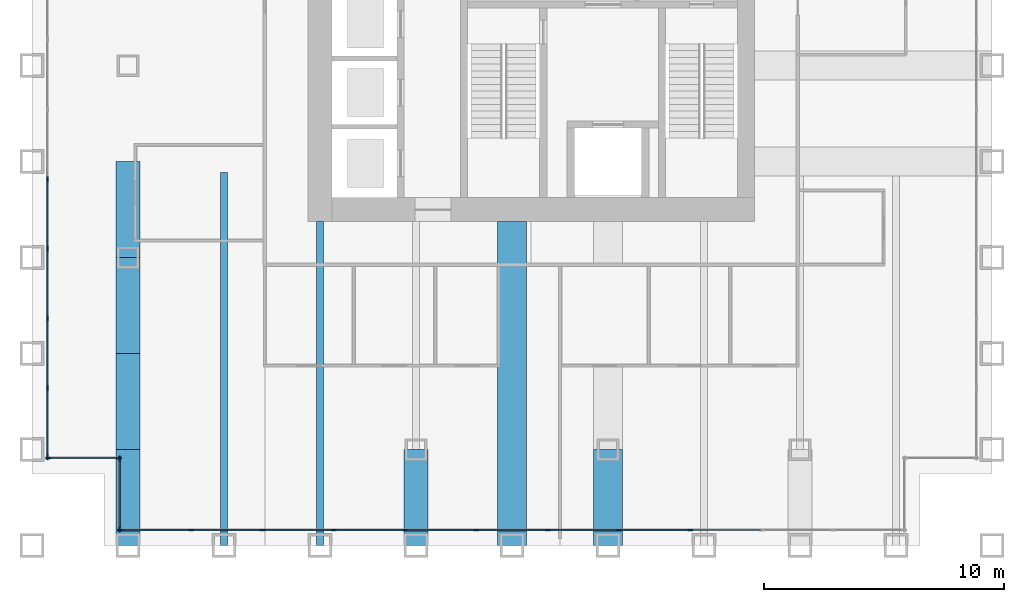
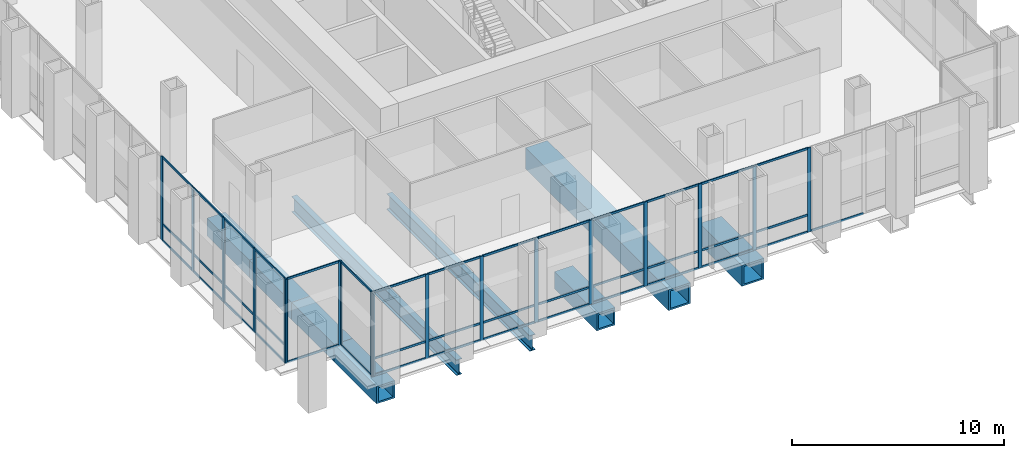
# One storey, part 2 of 13: 59 members, 9 beams, 4 elements without a shape of their own.
"""IFC4 building model written with IfcOpenShell, lengths in metres."""

from ifc_helpers import new_model, si_unit, direction, frame, origin, origin_2d, place, context, subcontext, project, spatial, rectangle, hollow_rectangle, i_section, extrude, material, material_profile, profile_set, type_object, element, aggregate, save


model = new_model("IFC4")

# Units and contexts
model_context = context("Model", 3, precision=1e-05, world=origin(), true_north=direction((0.0, 1.0)))
body_context = subcontext(model_context, "Body", "Model", "MODEL_VIEW")
ifc_project = project(units=[si_unit("LENGTHUNIT", "METRE"), si_unit("AREAUNIT", "SQUARE_METRE"), si_unit("VOLUMEUNIT", "CUBIC_METRE"), si_unit("PLANEANGLEUNIT", "RADIAN"), si_unit("MASSUNIT", "GRAM", prefix="KILO")], contexts=[model_context])

# Site, building, storey
site_placement = place(None, origin())
site = spatial("IfcSite", under=ifc_project, at=site_placement, CompositionType="ELEMENT")
building_placement = place(site_placement, origin())
building = spatial("IfcBuilding", under=site, at=building_placement, Name="Rimbunsela Tower", CompositionType="ELEMENT")
storey_placement = place(building_placement, frame((0.0, 0.0, 142.800048828125)))
storey = spatial("IfcBuildingStorey", under=building, at=storey_placement, Name="L34", CompositionType="ELEMENT", Elevation=142.800048828125)

# Beams
ifc_material_1 = material(Name="Steel BJ 55 (fy 410 MPa)", Category="steel")
ifc_material_profile_1 = material_profile(ifc_material_1, hollow_rectangle(XDim=1.0, YDim=1.0, WallThickness=0.10009765625, at=origin_2d()), Name="BOX 1000x1000x100")
ifc_profile_set_1 = profile_set([ifc_material_profile_1], Name="Steel BJ 55 (fy 410 MPa)")
beam_type_1 = type_object("IfcBeamType", Name="Beam BOX 1000x1000x100", PredefinedType="BEAM", material=ifc_profile_set_1)
for number, where, z_axis, x_axis, name in (
    (1, (10.0, 4.0, -0.650146484375), (0.0, 1.0, 0.0), (-1.0, 0.0, 0.0), "Beam B3 L34"),
    (2, (10.0, 8.0, -0.650146484375), (0.0, 1.0, 0.0), (-1.0, 0.0, 0.0), "Beam B3 L34"),
    (3, (10.0, 12.0, -0.650146484375), (0.0, 1.0, 0.0), (-1.0, 0.0, 0.0), "Beam B3 L34"),
    (4, (10.0, 16.0, -0.650146484375), (0.0, 1.0, 0.0), (-1.0, 0.0, 0.0), "Beam B3 L34"),
    (5, (22.0, 4.0, -0.650146484375), (0.0, 1.0, 0.0), (-1.0, 0.0, 0.0), "Beam B3 L34"),
):
    element("IfcBeam", number, at=place(storey_placement, frame(where, z_axis=z_axis, x_axis=x_axis)), inside=storey, type_object=beam_type_1, Name=name, PredefinedType="BEAM", context=body_context, shape_type="SweptSolid", body=[
        extrude(hollow_rectangle(XDim=1.0, YDim=1.0, WallThickness=0.10009765625, at=origin_2d()), origin(), (0.0, 0.0, 1.0), 4.0),
    ])
ifc_material_2 = material(Name="Steel BJ 55 (fy 410 MPa)", Category="steel")
ifc_material_profile_2 = material_profile(ifc_material_2, hollow_rectangle(XDim=1.199951171875, YDim=1.199951171875, WallThickness=0.10009765625, at=origin_2d()), Name="BOX 1200x1200x100")
ifc_profile_set_2 = profile_set([ifc_material_profile_2], Name="Steel BJ 55 (fy 410 MPa)")
beam_type_2 = type_object("IfcBeamType", Name="Beam BOX 1200x1200x100", PredefinedType="BEAM", material=ifc_profile_set_2)
beam_1_placement = place(storey_placement, frame((26.0, 4.0, -0.75), z_axis=(0.0, 1.0, 0.0), x_axis=(-1.0, 0.0, 0.0)))
element("IfcBeam", 6, at=beam_1_placement, inside=storey, type_object=beam_type_2, Name="Beam B5 L34", PredefinedType="BEAM", context=body_context, shape_type="SweptSolid", body=[
    extrude(hollow_rectangle(XDim=1.199951171875, YDim=1.199951171875, WallThickness=0.10009765625, at=origin_2d()), origin(), (0.0, 0.0, 1.0), 13.5),
])
beam_2_placement = place(storey_placement, frame((30.0, 4.0, -0.75), z_axis=(0.0, 1.0, 0.0), x_axis=(-1.0, 0.0, 0.0)))
element("IfcBeam", 7, at=beam_2_placement, inside=storey, type_object=beam_type_2, Name="Beam B5 L34", PredefinedType="BEAM", context=body_context, shape_type="SweptSolid", body=[
    extrude(hollow_rectangle(XDim=1.199951171875, YDim=1.199951171875, WallThickness=0.10009765625, at=origin_2d()), origin(), (0.0, 0.0, 1.0), 4.0),
])
ifc_material_3 = material(Name="Steel BJ 55 (fy 410 MPa)", Category="steel")
ifc_material_profile_3 = material_profile(ifc_material_3, i_section(OverallWidth=0.300048828125, OverallDepth=0.89990234375, WebThickness=0.01611328125, FlangeThickness=0.028076171875, FilletRadius=0.028076171875, at=origin_2d()), Name="H 900x300x16x28")
ifc_profile_set_3 = profile_set([ifc_material_profile_3], Name="Steel BJ 55 (fy 410 MPa)")
beam_type_3 = type_object("IfcBeamType", Name="Beam H 900x300x16x28", PredefinedType="BEAM", material=ifc_profile_set_3)
beam_3_placement = place(storey_placement, frame((14.0, 4.0, -0.60009765625), z_axis=(0.0, 1.0, 0.0), x_axis=(-1.0, 0.0, 0.0)))
element("IfcBeam", 8, at=beam_3_placement, inside=storey, type_object=beam_type_3, Name="Beam B2 L34", PredefinedType="BEAM", context=body_context, shape_type="SweptSolid", body=[
    extrude(i_section(OverallWidth=0.300048828125, OverallDepth=0.89990234375, WebThickness=0.01611328125, FlangeThickness=0.028076171875, FilletRadius=0.028076171875, at=origin_2d()), origin(), (0.0, 0.0, 1.0), 15.550048828125),
])
beam_4_placement = place(storey_placement, frame((18.0, 4.0, -0.60009765625), z_axis=(0.0, 1.0, 0.0), x_axis=(-1.0, 0.0, 0.0)))
element("IfcBeam", 9, at=beam_4_placement, inside=storey, type_object=beam_type_3, Name="Beam B2 L34", PredefinedType="BEAM", context=body_context, shape_type="SweptSolid", body=[
    extrude(i_section(OverallWidth=0.300048828125, OverallDepth=0.89990234375, WebThickness=0.01611328125, FlangeThickness=0.028076171875, FilletRadius=0.028076171875, at=origin_2d()), origin(), (0.0, 0.0, 1.0), 13.5),
])

# Curtain wall, members
ifc_material_4 = material(Name="Aluminium curtain wall", Category="aluminium")
curtain_wall_type_1 = type_object("IfcCurtainWallType", Name="Sky lobby glazing", PredefinedType="USERDEFINED", material=ifc_material_4)
curtain_wall_1_placement = place(storey_placement, origin())
curtain_wall_1 = element("IfcCurtainWall", 10, at=curtain_wall_1_placement, inside=storey, type_object=curtain_wall_type_1, Name="Sky lobby glazing L34", ObjectType="SKY LOBBY GLAZING", PredefinedType="USERDEFINED")
ifc_material_5 = material(Name="Aluminium mullion", Category="aluminium")
ifc_material_profile_4 = material_profile(ifc_material_5, rectangle(XDim=0.06005859375, YDim=0.199951171875, at=origin_2d()), Name="Mullion 60x200")
ifc_profile_set_4 = profile_set([ifc_material_profile_4], Name="Aluminium mullion")
member_type_1 = type_object("IfcMemberType", Name="Curtain wall mullion 60x200", PredefinedType="MULLION", material=ifc_profile_set_4)
member_1_placement = place(storey_placement, frame((6.64990234375, 19.278564453125, 0.0), z_axis=(0.0, 0.0, 1.0), x_axis=(1.0, 0.0, 0.0)))
member_1 = element("IfcMember", 11, at=member_1_placement, type_object=member_type_1, Name="CW4 mullion 11", PredefinedType="MULLION", context=body_context, shape_type="SweptSolid", body=[
    extrude(rectangle(XDim=0.06005859375, YDim=0.199951171875, at=origin_2d()), origin(), (0.0, 0.0, 1.0), 4.849853515625),
])
member_2_placement = place(storey_placement, frame((6.64990234375, 16.371337890625, 0.0), z_axis=(0.0, 0.0, 1.0), x_axis=(1.0, 0.0, 0.0)))
member_2 = element("IfcMember", 12, at=member_2_placement, type_object=member_type_1, Name="CW4 mullion 12", PredefinedType="MULLION", context=body_context, shape_type="SweptSolid", body=[
    extrude(rectangle(XDim=0.06005859375, YDim=0.199951171875, at=origin_2d()), origin(), (0.0, 0.0, 1.0), 4.849853515625),
])
member_3_placement = place(storey_placement, frame((6.64990234375, 13.46435546875, 0.0), z_axis=(0.0, 0.0, 1.0), x_axis=(1.0, 0.0, 0.0)))
member_3 = element("IfcMember", 13, at=member_3_placement, type_object=member_type_1, Name="CW4 mullion 13", PredefinedType="MULLION", context=body_context, shape_type="SweptSolid", body=[
    extrude(rectangle(XDim=0.06005859375, YDim=0.199951171875, at=origin_2d()), origin(), (0.0, 0.0, 1.0), 4.849853515625),
])
member_4_placement = place(storey_placement, frame((6.64990234375, 10.55712890625, 0.0), z_axis=(0.0, 0.0, 1.0), x_axis=(1.0, 0.0, 0.0)))
member_4 = element("IfcMember", 14, at=member_4_placement, type_object=member_type_1, Name="CW4 mullion 14", PredefinedType="MULLION", context=body_context, shape_type="SweptSolid", body=[
    extrude(rectangle(XDim=0.06005859375, YDim=0.199951171875, at=origin_2d()), origin(), (0.0, 0.0, 1.0), 4.849853515625),
])
member_5_placement = place(storey_placement, frame((6.64990234375, 7.679931640625, 0.0), z_axis=(0.0, 0.0, 1.0), x_axis=(1.0, 0.0, 0.0)))
member_5 = element("IfcMember", 15, at=member_5_placement, type_object=member_type_1, Name="CW4 mullion 15", PredefinedType="MULLION", context=body_context, shape_type="SweptSolid", body=[
    extrude(rectangle(XDim=0.06005859375, YDim=0.199951171875, at=origin_2d()), origin(), (0.0, 0.0, 1.0), 4.849853515625),
])

ifc_material_6 = material(Name="Aluminium curtain wall", Category="aluminium")
curtain_wall_type_2 = type_object("IfcCurtainWallType", Name="Corner glazing", PredefinedType="USERDEFINED", material=ifc_material_6)
curtain_wall_2_placement = place(storey_placement, origin())
curtain_wall_2 = element("IfcCurtainWall", 16, at=curtain_wall_2_placement, inside=storey, type_object=curtain_wall_type_2, Name="Corner glazing L34", ObjectType="CORNER GLAZING", PredefinedType="USERDEFINED")
member_6_placement = place(storey_placement, frame((6.679931640625, 7.64990234375, 0.0), z_axis=(0.0, 0.0, 1.0), x_axis=(0.0, 1.0, 0.0)))
member_6 = element("IfcMember", 17, at=member_6_placement, type_object=member_type_1, Name="CW5 mullion 1", PredefinedType="MULLION", context=body_context, shape_type="SweptSolid", body=[
    extrude(rectangle(XDim=0.06005859375, YDim=0.199951171875, at=origin_2d()), origin(), (0.0, 0.0, 1.0), 4.849853515625),
])
member_7_placement = place(storey_placement, frame((9.6201171875, 7.64990234375, 0.0), z_axis=(0.0, 0.0, 1.0), x_axis=(0.0, 1.0, 0.0)))
member_7 = element("IfcMember", 18, at=member_7_placement, type_object=member_type_1, Name="CW5 mullion 2", PredefinedType="MULLION", context=body_context, shape_type="SweptSolid", body=[
    extrude(rectangle(XDim=0.06005859375, YDim=0.199951171875, at=origin_2d()), origin(), (0.0, 0.0, 1.0), 4.849853515625),
])

curtain_wall_3_placement = place(storey_placement, origin())
curtain_wall_3 = element("IfcCurtainWall", 19, at=curtain_wall_3_placement, inside=storey, type_object=curtain_wall_type_2, Name="Corner glazing L34", ObjectType="CORNER GLAZING", PredefinedType="USERDEFINED")
member_8_placement = place(storey_placement, frame((9.64990234375, 7.6201171875, 0.0), z_axis=(0.0, 0.0, 1.0), x_axis=(1.0, 0.0, 0.0)))
member_8 = element("IfcMember", 20, at=member_8_placement, type_object=member_type_1, Name="CW5 mullion 1", PredefinedType="MULLION", context=body_context, shape_type="SweptSolid", body=[
    extrude(rectangle(XDim=0.06005859375, YDim=0.199951171875, at=origin_2d()), origin(), (0.0, 0.0, 1.0), 4.849853515625),
])
member_9_placement = place(storey_placement, frame((9.64990234375, 4.679931640625, 0.0), z_axis=(0.0, 0.0, 1.0), x_axis=(1.0, 0.0, 0.0)))
member_9 = element("IfcMember", 21, at=member_9_placement, type_object=member_type_1, Name="CW5 mullion 2", PredefinedType="MULLION", context=body_context, shape_type="SweptSolid", body=[
    extrude(rectangle(XDim=0.06005859375, YDim=0.199951171875, at=origin_2d()), origin(), (0.0, 0.0, 1.0), 4.849853515625),
])

curtain_wall_4_placement = place(storey_placement, origin())
curtain_wall_4 = element("IfcCurtainWall", 22, at=curtain_wall_4_placement, inside=storey, type_object=curtain_wall_type_1, Name="Sky lobby glazing L34", ObjectType="SKY LOBBY GLAZING", PredefinedType="USERDEFINED")
member_10_placement = place(storey_placement, frame((9.679931640625, 4.64990234375, 0.0), z_axis=(0.0, 0.0, 1.0), x_axis=(0.0, 1.0, 0.0)))
member_10 = element("IfcMember", 23, at=member_10_placement, type_object=member_type_1, Name="CW4 mullion 1", PredefinedType="MULLION", context=body_context, shape_type="SweptSolid", body=[
    extrude(rectangle(XDim=0.06005859375, YDim=0.199951171875, at=origin_2d()), origin(), (0.0, 0.0, 1.0), 4.849853515625),
])
member_11_placement = place(storey_placement, frame((12.622802734375, 4.64990234375, 0.0), z_axis=(0.0, 0.0, 1.0), x_axis=(0.0, 1.0, 0.0)))
member_11 = element("IfcMember", 24, at=member_11_placement, type_object=member_type_1, Name="CW4 mullion 2", PredefinedType="MULLION", context=body_context, shape_type="SweptSolid", body=[
    extrude(rectangle(XDim=0.06005859375, YDim=0.199951171875, at=origin_2d()), origin(), (0.0, 0.0, 1.0), 4.849853515625),
])
member_12_placement = place(storey_placement, frame((15.595458984375, 4.64990234375, 0.0), z_axis=(0.0, 0.0, 1.0), x_axis=(0.0, 1.0, 0.0)))
member_12 = element("IfcMember", 25, at=member_12_placement, type_object=member_type_1, Name="CW4 mullion 3", PredefinedType="MULLION", context=body_context, shape_type="SweptSolid", body=[
    extrude(rectangle(XDim=0.06005859375, YDim=0.199951171875, at=origin_2d()), origin(), (0.0, 0.0, 1.0), 4.849853515625),
])
member_13_placement = place(storey_placement, frame((18.568115234375, 4.64990234375, 0.0), z_axis=(0.0, 0.0, 1.0), x_axis=(0.0, 1.0, 0.0)))
member_13 = element("IfcMember", 26, at=member_13_placement, type_object=member_type_1, Name="CW4 mullion 4", PredefinedType="MULLION", context=body_context, shape_type="SweptSolid", body=[
    extrude(rectangle(XDim=0.06005859375, YDim=0.199951171875, at=origin_2d()), origin(), (0.0, 0.0, 1.0), 4.849853515625),
])
member_14_placement = place(storey_placement, frame((21.541015625, 4.64990234375, 0.0), z_axis=(0.0, 0.0, 1.0), x_axis=(0.0, 1.0, 0.0)))
member_14 = element("IfcMember", 27, at=member_14_placement, type_object=member_type_1, Name="CW4 mullion 5", PredefinedType="MULLION", context=body_context, shape_type="SweptSolid", body=[
    extrude(rectangle(XDim=0.06005859375, YDim=0.199951171875, at=origin_2d()), origin(), (0.0, 0.0, 1.0), 4.849853515625),
])
member_15_placement = place(storey_placement, frame((24.513671875, 4.64990234375, 0.0), z_axis=(0.0, 0.0, 1.0), x_axis=(0.0, 1.0, 0.0)))
member_15 = element("IfcMember", 28, at=member_15_placement, type_object=member_type_1, Name="CW4 mullion 6", PredefinedType="MULLION", context=body_context, shape_type="SweptSolid", body=[
    extrude(rectangle(XDim=0.06005859375, YDim=0.199951171875, at=origin_2d()), origin(), (0.0, 0.0, 1.0), 4.849853515625),
])
member_16_placement = place(storey_placement, frame((27.486328125, 4.64990234375, 0.0), z_axis=(0.0, 0.0, 1.0), x_axis=(0.0, 1.0, 0.0)))
member_16 = element("IfcMember", 29, at=member_16_placement, type_object=member_type_1, Name="CW4 mullion 7", PredefinedType="MULLION", context=body_context, shape_type="SweptSolid", body=[
    extrude(rectangle(XDim=0.06005859375, YDim=0.199951171875, at=origin_2d()), origin(), (0.0, 0.0, 1.0), 4.849853515625),
])
member_17_placement = place(storey_placement, frame((30.458984375, 4.64990234375, 0.0), z_axis=(0.0, 0.0, 1.0), x_axis=(0.0, 1.0, 0.0)))
member_17 = element("IfcMember", 30, at=member_17_placement, type_object=member_type_1, Name="CW4 mullion 8", PredefinedType="MULLION", context=body_context, shape_type="SweptSolid", body=[
    extrude(rectangle(XDim=0.06005859375, YDim=0.199951171875, at=origin_2d()), origin(), (0.0, 0.0, 1.0), 4.849853515625),
])
member_18_placement = place(storey_placement, frame((33.431884765625, 4.64990234375, 0.0), z_axis=(0.0, 0.0, 1.0), x_axis=(0.0, 1.0, 0.0)))
member_18 = element("IfcMember", 31, at=member_18_placement, type_object=member_type_1, Name="CW4 mullion 9", PredefinedType="MULLION", context=body_context, shape_type="SweptSolid", body=[
    extrude(rectangle(XDim=0.06005859375, YDim=0.199951171875, at=origin_2d()), origin(), (0.0, 0.0, 1.0), 4.849853515625),
])

# Member
ifc_material_7 = material(Name="Aluminium transom", Category="aluminium")
ifc_material_profile_5 = material_profile(ifc_material_7, rectangle(XDim=0.06005859375, YDim=0.1201171875, at=origin_2d()), Name="Transom 60x120")
ifc_profile_set_5 = profile_set([ifc_material_profile_5], Name="Aluminium transom")
member_type_2 = type_object("IfcMemberType", Name="Curtain wall transom 60x120", PredefinedType="USERDEFINED", material=ifc_profile_set_5)
member_19_placement = place(storey_placement, frame((6.64990234375, 19.24853515625, 0.030029296875), z_axis=(0.0, -1.0, 0.0), x_axis=(1.0, 0.0, 0.0)))
member_19 = element("IfcMember", 32, at=member_19_placement, type_object=member_type_2, Name="CW4 transom 11.1", ObjectType="TRANSOM", PredefinedType="USERDEFINED", context=body_context, shape_type="SweptSolid", body=[
    extrude(rectangle(XDim=0.06005859375, YDim=0.1201171875, at=origin_2d()), origin(), (0.0, 0.0, 1.0), 2.84716796875),
])

member_20_placement = place(storey_placement, frame((6.64990234375, 19.24853515625, 1.0), z_axis=(0.0, -1.0, 0.0), x_axis=(1.0, 0.0, 0.0)))
member_20 = element("IfcMember", 33, at=member_20_placement, type_object=member_type_2, Name="CW4 transom 11.2", ObjectType="TRANSOM", PredefinedType="USERDEFINED", context=body_context, shape_type="SweptSolid", body=[
    extrude(rectangle(XDim=0.06005859375, YDim=0.1201171875, at=origin_2d()), origin(), (0.0, 0.0, 1.0), 2.84716796875),
])

member_21_placement = place(storey_placement, frame((6.64990234375, 19.24853515625, 4.820068359375), z_axis=(0.0, -1.0, 0.0), x_axis=(1.0, 0.0, 0.0)))
member_21 = element("IfcMember", 34, at=member_21_placement, type_object=member_type_2, Name="CW4 transom 11.3", ObjectType="TRANSOM", PredefinedType="USERDEFINED", context=body_context, shape_type="SweptSolid", body=[
    extrude(rectangle(XDim=0.06005859375, YDim=0.1201171875, at=origin_2d()), origin(), (0.0, 0.0, 1.0), 2.84716796875),
])

member_22_placement = place(storey_placement, frame((6.64990234375, 16.34130859375, 0.030029296875), z_axis=(0.0, -1.0, 0.0), x_axis=(1.0, 0.0, 0.0)))
member_22 = element("IfcMember", 35, at=member_22_placement, type_object=member_type_2, Name="CW4 transom 12.1", ObjectType="TRANSOM", PredefinedType="USERDEFINED", context=body_context, shape_type="SweptSolid", body=[
    extrude(rectangle(XDim=0.06005859375, YDim=0.1201171875, at=origin_2d()), origin(), (0.0, 0.0, 1.0), 2.846923828125),
])

member_23_placement = place(storey_placement, frame((6.64990234375, 16.34130859375, 1.0), z_axis=(0.0, -1.0, 0.0), x_axis=(1.0, 0.0, 0.0)))
member_23 = element("IfcMember", 36, at=member_23_placement, type_object=member_type_2, Name="CW4 transom 12.2", ObjectType="TRANSOM", PredefinedType="USERDEFINED", context=body_context, shape_type="SweptSolid", body=[
    extrude(rectangle(XDim=0.06005859375, YDim=0.1201171875, at=origin_2d()), origin(), (0.0, 0.0, 1.0), 2.846923828125),
])

member_24_placement = place(storey_placement, frame((6.64990234375, 16.34130859375, 4.820068359375), z_axis=(0.0, -1.0, 0.0), x_axis=(1.0, 0.0, 0.0)))
member_24 = element("IfcMember", 37, at=member_24_placement, type_object=member_type_2, Name="CW4 transom 12.3", ObjectType="TRANSOM", PredefinedType="USERDEFINED", context=body_context, shape_type="SweptSolid", body=[
    extrude(rectangle(XDim=0.06005859375, YDim=0.1201171875, at=origin_2d()), origin(), (0.0, 0.0, 1.0), 2.846923828125),
])

member_25_placement = place(storey_placement, frame((6.64990234375, 13.434326171875, 0.030029296875), z_axis=(0.0, -1.0, 0.0), x_axis=(1.0, 0.0, 0.0)))
member_25 = element("IfcMember", 38, at=member_25_placement, type_object=member_type_2, Name="CW4 transom 13.1", ObjectType="TRANSOM", PredefinedType="USERDEFINED", context=body_context, shape_type="SweptSolid", body=[
    extrude(rectangle(XDim=0.06005859375, YDim=0.1201171875, at=origin_2d()), origin(), (0.0, 0.0, 1.0), 2.84716796875),
])

member_26_placement = place(storey_placement, frame((6.64990234375, 13.434326171875, 1.0), z_axis=(0.0, -1.0, 0.0), x_axis=(1.0, 0.0, 0.0)))
member_26 = element("IfcMember", 39, at=member_26_placement, type_object=member_type_2, Name="CW4 transom 13.2", ObjectType="TRANSOM", PredefinedType="USERDEFINED", context=body_context, shape_type="SweptSolid", body=[
    extrude(rectangle(XDim=0.06005859375, YDim=0.1201171875, at=origin_2d()), origin(), (0.0, 0.0, 1.0), 2.84716796875),
])

member_27_placement = place(storey_placement, frame((6.64990234375, 13.434326171875, 4.820068359375), z_axis=(0.0, -1.0, 0.0), x_axis=(1.0, 0.0, 0.0)))
member_27 = element("IfcMember", 40, at=member_27_placement, type_object=member_type_2, Name="CW4 transom 13.3", ObjectType="TRANSOM", PredefinedType="USERDEFINED", context=body_context, shape_type="SweptSolid", body=[
    extrude(rectangle(XDim=0.06005859375, YDim=0.1201171875, at=origin_2d()), origin(), (0.0, 0.0, 1.0), 2.84716796875),
])

member_28_placement = place(storey_placement, frame((6.64990234375, 10.527099609375, 0.030029296875), z_axis=(0.0, -1.0, 0.0), x_axis=(1.0, 0.0, 0.0)))
member_28 = element("IfcMember", 41, at=member_28_placement, type_object=member_type_2, Name="CW4 transom 14.1", ObjectType="TRANSOM", PredefinedType="USERDEFINED", context=body_context, shape_type="SweptSolid", body=[
    extrude(rectangle(XDim=0.06005859375, YDim=0.1201171875, at=origin_2d()), origin(), (0.0, 0.0, 1.0), 2.817138671875),
])

member_29_placement = place(storey_placement, frame((6.64990234375, 10.527099609375, 1.0), z_axis=(0.0, -1.0, 0.0), x_axis=(1.0, 0.0, 0.0)))
member_29 = element("IfcMember", 42, at=member_29_placement, type_object=member_type_2, Name="CW4 transom 14.2", ObjectType="TRANSOM", PredefinedType="USERDEFINED", context=body_context, shape_type="SweptSolid", body=[
    extrude(rectangle(XDim=0.06005859375, YDim=0.1201171875, at=origin_2d()), origin(), (0.0, 0.0, 1.0), 2.817138671875),
])

member_30_placement = place(storey_placement, frame((6.64990234375, 10.527099609375, 4.820068359375), z_axis=(0.0, -1.0, 0.0), x_axis=(1.0, 0.0, 0.0)))
member_30 = element("IfcMember", 43, at=member_30_placement, type_object=member_type_2, Name="CW4 transom 14.3", ObjectType="TRANSOM", PredefinedType="USERDEFINED", context=body_context, shape_type="SweptSolid", body=[
    extrude(rectangle(XDim=0.06005859375, YDim=0.1201171875, at=origin_2d()), origin(), (0.0, 0.0, 1.0), 2.817138671875),
])

aggregate(curtain_wall_1, [member_1, member_2, member_3, member_4, member_5, member_19, member_20, member_21, member_22, member_23, member_24, member_25, member_26, member_27, member_28, member_29, member_30])

member_31_placement = place(storey_placement, frame((6.7099609375, 7.64990234375, 0.030029296875), z_axis=(1.0, 0.0, 0.0), x_axis=(0.0, 1.0, 0.0)))
member_31 = element("IfcMember", 44, at=member_31_placement, type_object=member_type_2, Name="CW5 transom 1.1", ObjectType="TRANSOM", PredefinedType="USERDEFINED", context=body_context, shape_type="SweptSolid", body=[
    extrude(rectangle(XDim=0.06005859375, YDim=0.1201171875, at=origin_2d()), origin(), (0.0, 0.0, 1.0), 2.880126953125),
])

member_32_placement = place(storey_placement, frame((6.7099609375, 7.64990234375, 4.820068359375), z_axis=(1.0, 0.0, 0.0), x_axis=(0.0, 1.0, 0.0)))
member_32 = element("IfcMember", 45, at=member_32_placement, type_object=member_type_2, Name="CW5 transom 1.2", ObjectType="TRANSOM", PredefinedType="USERDEFINED", context=body_context, shape_type="SweptSolid", body=[
    extrude(rectangle(XDim=0.06005859375, YDim=0.1201171875, at=origin_2d()), origin(), (0.0, 0.0, 1.0), 2.880126953125),
])

aggregate(curtain_wall_2, [member_6, member_7, member_31, member_32])

member_33_placement = place(storey_placement, frame((9.64990234375, 7.590087890625, 0.030029296875), z_axis=(0.0, -1.0, 0.0), x_axis=(1.0, 0.0, 0.0)))
member_33 = element("IfcMember", 46, at=member_33_placement, type_object=member_type_2, Name="CW5 transom 1.1", ObjectType="TRANSOM", PredefinedType="USERDEFINED", context=body_context, shape_type="SweptSolid", body=[
    extrude(rectangle(XDim=0.06005859375, YDim=0.1201171875, at=origin_2d()), origin(), (0.0, 0.0, 1.0), 2.880126953125),
])

member_34_placement = place(storey_placement, frame((9.64990234375, 7.590087890625, 4.820068359375), z_axis=(0.0, -1.0, 0.0), x_axis=(1.0, 0.0, 0.0)))
member_34 = element("IfcMember", 47, at=member_34_placement, type_object=member_type_2, Name="CW5 transom 1.2", ObjectType="TRANSOM", PredefinedType="USERDEFINED", context=body_context, shape_type="SweptSolid", body=[
    extrude(rectangle(XDim=0.06005859375, YDim=0.1201171875, at=origin_2d()), origin(), (0.0, 0.0, 1.0), 2.880126953125),
])

aggregate(curtain_wall_3, [member_8, member_9, member_33, member_34])

member_35_placement = place(storey_placement, frame((9.7099609375, 4.64990234375, 0.030029296875), z_axis=(1.0, 0.0, 0.0), x_axis=(0.0, 1.0, 0.0)))
member_35 = element("IfcMember", 48, at=member_35_placement, type_object=member_type_2, Name="CW4 transom 1.1", ObjectType="TRANSOM", PredefinedType="USERDEFINED", context=body_context, shape_type="SweptSolid", body=[
    extrude(rectangle(XDim=0.06005859375, YDim=0.1201171875, at=origin_2d()), origin(), (0.0, 0.0, 1.0), 2.8828125),
])

member_36_placement = place(storey_placement, frame((9.7099609375, 4.64990234375, 1.0), z_axis=(1.0, 0.0, 0.0), x_axis=(0.0, 1.0, 0.0)))
member_36 = element("IfcMember", 49, at=member_36_placement, type_object=member_type_2, Name="CW4 transom 1.2", ObjectType="TRANSOM", PredefinedType="USERDEFINED", context=body_context, shape_type="SweptSolid", body=[
    extrude(rectangle(XDim=0.06005859375, YDim=0.1201171875, at=origin_2d()), origin(), (0.0, 0.0, 1.0), 2.8828125),
])

member_37_placement = place(storey_placement, frame((9.7099609375, 4.64990234375, 4.820068359375), z_axis=(1.0, 0.0, 0.0), x_axis=(0.0, 1.0, 0.0)))
member_37 = element("IfcMember", 50, at=member_37_placement, type_object=member_type_2, Name="CW4 transom 1.3", ObjectType="TRANSOM", PredefinedType="USERDEFINED", context=body_context, shape_type="SweptSolid", body=[
    extrude(rectangle(XDim=0.06005859375, YDim=0.1201171875, at=origin_2d()), origin(), (0.0, 0.0, 1.0), 2.8828125),
])

member_38_placement = place(storey_placement, frame((12.65283203125, 4.64990234375, 0.030029296875), z_axis=(1.0, 0.0, 0.0), x_axis=(0.0, 1.0, 0.0)))
member_38 = element("IfcMember", 51, at=member_38_placement, type_object=member_type_2, Name="CW4 transom 2.1", ObjectType="TRANSOM", PredefinedType="USERDEFINED", context=body_context, shape_type="SweptSolid", body=[
    extrude(rectangle(XDim=0.06005859375, YDim=0.1201171875, at=origin_2d()), origin(), (0.0, 0.0, 1.0), 2.91259765625),
])

member_39_placement = place(storey_placement, frame((12.65283203125, 4.64990234375, 1.0), z_axis=(1.0, 0.0, 0.0), x_axis=(0.0, 1.0, 0.0)))
member_39 = element("IfcMember", 52, at=member_39_placement, type_object=member_type_2, Name="CW4 transom 2.2", ObjectType="TRANSOM", PredefinedType="USERDEFINED", context=body_context, shape_type="SweptSolid", body=[
    extrude(rectangle(XDim=0.06005859375, YDim=0.1201171875, at=origin_2d()), origin(), (0.0, 0.0, 1.0), 2.91259765625),
])

member_40_placement = place(storey_placement, frame((12.65283203125, 4.64990234375, 4.820068359375), z_axis=(1.0, 0.0, 0.0), x_axis=(0.0, 1.0, 0.0)))
member_40 = element("IfcMember", 53, at=member_40_placement, type_object=member_type_2, Name="CW4 transom 2.3", ObjectType="TRANSOM", PredefinedType="USERDEFINED", context=body_context, shape_type="SweptSolid", body=[
    extrude(rectangle(XDim=0.06005859375, YDim=0.1201171875, at=origin_2d()), origin(), (0.0, 0.0, 1.0), 2.91259765625),
])

member_41_placement = place(storey_placement, frame((15.62548828125, 4.64990234375, 0.030029296875), z_axis=(1.0, 0.0, 0.0), x_axis=(0.0, 1.0, 0.0)))
member_41 = element("IfcMember", 54, at=member_41_placement, type_object=member_type_2, Name="CW4 transom 3.1", ObjectType="TRANSOM", PredefinedType="USERDEFINED", context=body_context, shape_type="SweptSolid", body=[
    extrude(rectangle(XDim=0.06005859375, YDim=0.1201171875, at=origin_2d()), origin(), (0.0, 0.0, 1.0), 2.91259765625),
])

member_42_placement = place(storey_placement, frame((15.62548828125, 4.64990234375, 1.0), z_axis=(1.0, 0.0, 0.0), x_axis=(0.0, 1.0, 0.0)))
member_42 = element("IfcMember", 55, at=member_42_placement, type_object=member_type_2, Name="CW4 transom 3.2", ObjectType="TRANSOM", PredefinedType="USERDEFINED", context=body_context, shape_type="SweptSolid", body=[
    extrude(rectangle(XDim=0.06005859375, YDim=0.1201171875, at=origin_2d()), origin(), (0.0, 0.0, 1.0), 2.91259765625),
])

member_43_placement = place(storey_placement, frame((15.62548828125, 4.64990234375, 4.820068359375), z_axis=(1.0, 0.0, 0.0), x_axis=(0.0, 1.0, 0.0)))
member_43 = element("IfcMember", 56, at=member_43_placement, type_object=member_type_2, Name="CW4 transom 3.3", ObjectType="TRANSOM", PredefinedType="USERDEFINED", context=body_context, shape_type="SweptSolid", body=[
    extrude(rectangle(XDim=0.06005859375, YDim=0.1201171875, at=origin_2d()), origin(), (0.0, 0.0, 1.0), 2.91259765625),
])

member_44_placement = place(storey_placement, frame((18.59814453125, 4.64990234375, 0.030029296875), z_axis=(1.0, 0.0, 0.0), x_axis=(0.0, 1.0, 0.0)))
member_44 = element("IfcMember", 57, at=member_44_placement, type_object=member_type_2, Name="CW4 transom 4.1", ObjectType="TRANSOM", PredefinedType="USERDEFINED", context=body_context, shape_type="SweptSolid", body=[
    extrude(rectangle(XDim=0.06005859375, YDim=0.1201171875, at=origin_2d()), origin(), (0.0, 0.0, 1.0), 2.912841796875),
])

member_45_placement = place(storey_placement, frame((18.59814453125, 4.64990234375, 1.0), z_axis=(1.0, 0.0, 0.0), x_axis=(0.0, 1.0, 0.0)))
member_45 = element("IfcMember", 58, at=member_45_placement, type_object=member_type_2, Name="CW4 transom 4.2", ObjectType="TRANSOM", PredefinedType="USERDEFINED", context=body_context, shape_type="SweptSolid", body=[
    extrude(rectangle(XDim=0.06005859375, YDim=0.1201171875, at=origin_2d()), origin(), (0.0, 0.0, 1.0), 2.912841796875),
])

member_46_placement = place(storey_placement, frame((18.59814453125, 4.64990234375, 4.820068359375), z_axis=(1.0, 0.0, 0.0), x_axis=(0.0, 1.0, 0.0)))
member_46 = element("IfcMember", 59, at=member_46_placement, type_object=member_type_2, Name="CW4 transom 4.3", ObjectType="TRANSOM", PredefinedType="USERDEFINED", context=body_context, shape_type="SweptSolid", body=[
    extrude(rectangle(XDim=0.06005859375, YDim=0.1201171875, at=origin_2d()), origin(), (0.0, 0.0, 1.0), 2.912841796875),
])

member_47_placement = place(storey_placement, frame((21.57080078125, 4.64990234375, 0.030029296875), z_axis=(1.0, 0.0, 0.0), x_axis=(0.0, 1.0, 0.0)))
member_47 = element("IfcMember", 60, at=member_47_placement, type_object=member_type_2, Name="CW4 transom 5.1", ObjectType="TRANSOM", PredefinedType="USERDEFINED", context=body_context, shape_type="SweptSolid", body=[
    extrude(rectangle(XDim=0.06005859375, YDim=0.1201171875, at=origin_2d()), origin(), (0.0, 0.0, 1.0), 2.912841796875),
])

member_48_placement = place(storey_placement, frame((21.57080078125, 4.64990234375, 1.0), z_axis=(1.0, 0.0, 0.0), x_axis=(0.0, 1.0, 0.0)))
member_48 = element("IfcMember", 61, at=member_48_placement, type_object=member_type_2, Name="CW4 transom 5.2", ObjectType="TRANSOM", PredefinedType="USERDEFINED", context=body_context, shape_type="SweptSolid", body=[
    extrude(rectangle(XDim=0.06005859375, YDim=0.1201171875, at=origin_2d()), origin(), (0.0, 0.0, 1.0), 2.912841796875),
])

member_49_placement = place(storey_placement, frame((21.57080078125, 4.64990234375, 4.820068359375), z_axis=(1.0, 0.0, 0.0), x_axis=(0.0, 1.0, 0.0)))
member_49 = element("IfcMember", 62, at=member_49_placement, type_object=member_type_2, Name="CW4 transom 5.3", ObjectType="TRANSOM", PredefinedType="USERDEFINED", context=body_context, shape_type="SweptSolid", body=[
    extrude(rectangle(XDim=0.06005859375, YDim=0.1201171875, at=origin_2d()), origin(), (0.0, 0.0, 1.0), 2.912841796875),
])

member_50_placement = place(storey_placement, frame((24.543701171875, 4.64990234375, 0.030029296875), z_axis=(1.0, 0.0, 0.0), x_axis=(0.0, 1.0, 0.0)))
member_50 = element("IfcMember", 63, at=member_50_placement, type_object=member_type_2, Name="CW4 transom 6.1", ObjectType="TRANSOM", PredefinedType="USERDEFINED", context=body_context, shape_type="SweptSolid", body=[
    extrude(rectangle(XDim=0.06005859375, YDim=0.1201171875, at=origin_2d()), origin(), (0.0, 0.0, 1.0), 2.91259765625),
])

member_51_placement = place(storey_placement, frame((24.543701171875, 4.64990234375, 1.0), z_axis=(1.0, 0.0, 0.0), x_axis=(0.0, 1.0, 0.0)))
member_51 = element("IfcMember", 64, at=member_51_placement, type_object=member_type_2, Name="CW4 transom 6.2", ObjectType="TRANSOM", PredefinedType="USERDEFINED", context=body_context, shape_type="SweptSolid", body=[
    extrude(rectangle(XDim=0.06005859375, YDim=0.1201171875, at=origin_2d()), origin(), (0.0, 0.0, 1.0), 2.91259765625),
])

member_52_placement = place(storey_placement, frame((24.543701171875, 4.64990234375, 4.820068359375), z_axis=(1.0, 0.0, 0.0), x_axis=(0.0, 1.0, 0.0)))
member_52 = element("IfcMember", 65, at=member_52_placement, type_object=member_type_2, Name="CW4 transom 6.3", ObjectType="TRANSOM", PredefinedType="USERDEFINED", context=body_context, shape_type="SweptSolid", body=[
    extrude(rectangle(XDim=0.06005859375, YDim=0.1201171875, at=origin_2d()), origin(), (0.0, 0.0, 1.0), 2.91259765625),
])

member_53_placement = place(storey_placement, frame((27.516357421875, 4.64990234375, 0.030029296875), z_axis=(1.0, 0.0, 0.0), x_axis=(0.0, 1.0, 0.0)))
member_53 = element("IfcMember", 66, at=member_53_placement, type_object=member_type_2, Name="CW4 transom 7.1", ObjectType="TRANSOM", PredefinedType="USERDEFINED", context=body_context, shape_type="SweptSolid", body=[
    extrude(rectangle(XDim=0.06005859375, YDim=0.1201171875, at=origin_2d()), origin(), (0.0, 0.0, 1.0), 2.912841796875),
])

member_54_placement = place(storey_placement, frame((27.516357421875, 4.64990234375, 1.0), z_axis=(1.0, 0.0, 0.0), x_axis=(0.0, 1.0, 0.0)))
member_54 = element("IfcMember", 67, at=member_54_placement, type_object=member_type_2, Name="CW4 transom 7.2", ObjectType="TRANSOM", PredefinedType="USERDEFINED", context=body_context, shape_type="SweptSolid", body=[
    extrude(rectangle(XDim=0.06005859375, YDim=0.1201171875, at=origin_2d()), origin(), (0.0, 0.0, 1.0), 2.912841796875),
])

member_55_placement = place(storey_placement, frame((27.516357421875, 4.64990234375, 4.820068359375), z_axis=(1.0, 0.0, 0.0), x_axis=(0.0, 1.0, 0.0)))
member_55 = element("IfcMember", 68, at=member_55_placement, type_object=member_type_2, Name="CW4 transom 7.3", ObjectType="TRANSOM", PredefinedType="USERDEFINED", context=body_context, shape_type="SweptSolid", body=[
    extrude(rectangle(XDim=0.06005859375, YDim=0.1201171875, at=origin_2d()), origin(), (0.0, 0.0, 1.0), 2.912841796875),
])

member_56_placement = place(storey_placement, frame((30.489013671875, 4.64990234375, 0.030029296875), z_axis=(1.0, 0.0, 0.0), x_axis=(0.0, 1.0, 0.0)))
member_56 = element("IfcMember", 69, at=member_56_placement, type_object=member_type_2, Name="CW4 transom 8.1", ObjectType="TRANSOM", PredefinedType="USERDEFINED", context=body_context, shape_type="SweptSolid", body=[
    extrude(rectangle(XDim=0.06005859375, YDim=0.1201171875, at=origin_2d()), origin(), (0.0, 0.0, 1.0), 2.912841796875),
])

member_57_placement = place(storey_placement, frame((30.489013671875, 4.64990234375, 1.0), z_axis=(1.0, 0.0, 0.0), x_axis=(0.0, 1.0, 0.0)))
member_57 = element("IfcMember", 70, at=member_57_placement, type_object=member_type_2, Name="CW4 transom 8.2", ObjectType="TRANSOM", PredefinedType="USERDEFINED", context=body_context, shape_type="SweptSolid", body=[
    extrude(rectangle(XDim=0.06005859375, YDim=0.1201171875, at=origin_2d()), origin(), (0.0, 0.0, 1.0), 2.912841796875),
])

member_58_placement = place(storey_placement, frame((30.489013671875, 4.64990234375, 4.820068359375), z_axis=(1.0, 0.0, 0.0), x_axis=(0.0, 1.0, 0.0)))
member_58 = element("IfcMember", 71, at=member_58_placement, type_object=member_type_2, Name="CW4 transom 8.3", ObjectType="TRANSOM", PredefinedType="USERDEFINED", context=body_context, shape_type="SweptSolid", body=[
    extrude(rectangle(XDim=0.06005859375, YDim=0.1201171875, at=origin_2d()), origin(), (0.0, 0.0, 1.0), 2.912841796875),
])

member_59_placement = place(storey_placement, frame((33.4619140625, 4.64990234375, 0.030029296875), z_axis=(1.0, 0.0, 0.0), x_axis=(0.0, 1.0, 0.0)))
member_59 = element("IfcMember", 72, at=member_59_placement, type_object=member_type_2, Name="CW4 transom 9.1", ObjectType="TRANSOM", PredefinedType="USERDEFINED", context=body_context, shape_type="SweptSolid", body=[
    extrude(rectangle(XDim=0.06005859375, YDim=0.1201171875, at=origin_2d()), origin(), (0.0, 0.0, 1.0), 2.91259765625),
])

aggregate(curtain_wall_4, [member_10, member_11, member_12, member_13, member_14, member_15, member_16, member_17, member_18, member_35, member_36, member_37, member_38, member_39, member_40, member_41, member_42, member_43, member_44, member_45, member_46, member_47, member_48, member_49, member_50, member_51, member_52, member_53, member_54, member_55, member_56, member_57, member_58, member_59])

save(model, "model.ifc")
